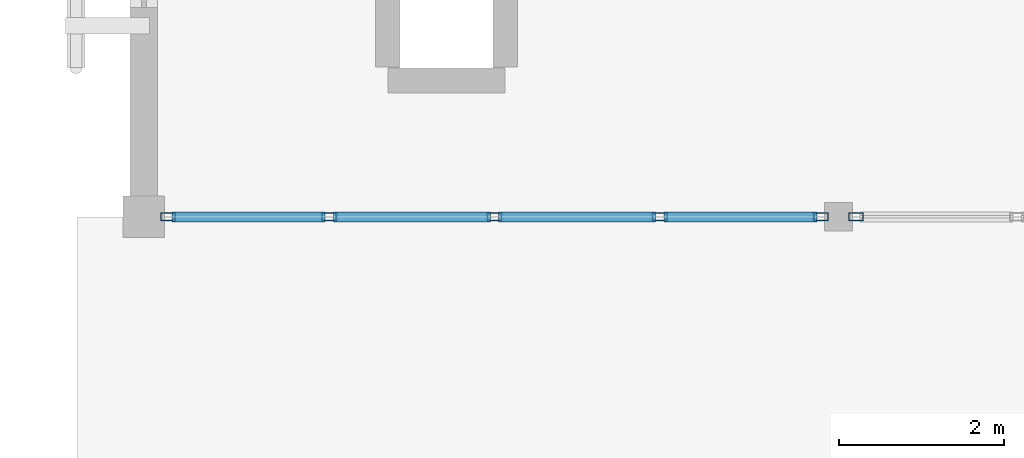
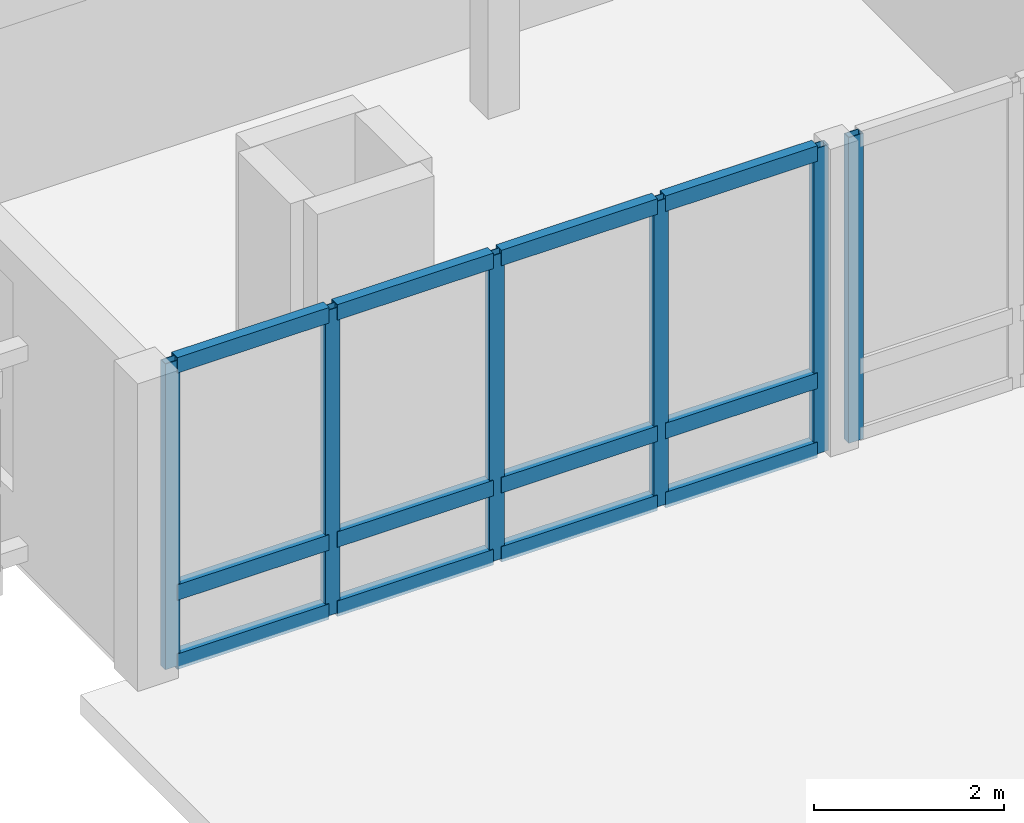
# One storey, part 18 of 217: 18 members, 2 elements without a shape of their own.
"""IFC4 building model written with IfcOpenShell, lengths in metres."""

from ifc_helpers import new_model, si_unit, direction, frame, origin, origin_2d, place, context, subcontext, project, spatial, hollow_rectangle, extrude, material, layer, layer_set, material_profile, profile_set, type_object, element, aggregate, save


model = new_model("IFC4")

# Units and contexts
model_context = context("Model", 3, precision=1e-05, world=origin(), true_north=direction((0.0, 1.0)))
body_context = subcontext(model_context, "Body", "Model", "MODEL_VIEW")
ifc_project = project(units=[si_unit("LENGTHUNIT", "METRE"), si_unit("AREAUNIT", "SQUARE_METRE"), si_unit("VOLUMEUNIT", "CUBIC_METRE"), si_unit("PLANEANGLEUNIT", "RADIAN"), si_unit("MASSUNIT", "GRAM", prefix="KILO")], contexts=[model_context])

# Site, building, storey
site_placement = place(None, origin())
site = spatial("IfcSite", under=ifc_project, at=site_placement, CompositionType="ELEMENT")
building_placement = place(site_placement, origin())
building = spatial("IfcBuilding", under=site, at=building_placement, Name="Mazaris Harbour Polytechnic", CompositionType="ELEMENT")
storey_placement = place(building_placement, frame((0.0, 0.0, 9.60009765625)))
storey = spatial("IfcBuildingStorey", under=building, at=storey_placement, Name="L02", CompositionType="ELEMENT", Elevation=9.60009765625)

# Curtain wall, members
ifc_material_1 = material(Name="Anodised Bronze Aluminium and Low-E Glass", Category="aluminium")
ifc_layer = layer(ifc_material_1, 0.179931640625, Name="Anodised Bronze Aluminium and Low-E Glass")
ifc_layer_set = layer_set([ifc_layer], Name="Anodised Bronze Aluminium and Low-E Glass")
curtain_wall_type = type_object("IfcCurtainWallType", Name="Harbour Colonnade Curtain Wall", PredefinedType="NOTDEFINED", material=ifc_layer_set)
curtain_wall_1_placement = place(storey_placement, origin())
curtain_wall_1 = element("IfcCurtainWall", 1, at=curtain_wall_1_placement, inside=storey, type_object=curtain_wall_type, Name="V3 L02 Curtain Wall 79", PredefinedType="NOTDEFINED")
ifc_material_2 = material(Name="Anodised Bronze Steel S355", Category="steel")
ifc_material_profile_1 = material_profile(ifc_material_2, hollow_rectangle(XDim=0.10009765625, YDim=0.179931640625, WallThickness=0.008056640625, at=origin_2d()), Name="RHS 100x180x8.0")
ifc_profile_set_1 = profile_set([ifc_material_profile_1], Name="Anodised Bronze Steel S355")
member_type_1 = type_object("IfcMemberType", Name="Curtain Mullion RHS100x180", PredefinedType="MULLION", material=ifc_profile_set_1)
member_1_placement = place(storey_placement, frame((62.18798828125, 14.39990234375, 0.0), z_axis=(0.0, 0.0, 1.0), x_axis=(0.0, -1.0, 0.0)))
member_1 = element("IfcMember", 2, at=member_1_placement, type_object=member_type_1, Name="CW-01 mullion 1", PredefinedType="MULLION", context=body_context, shape_type="SweptSolid", body=[
    extrude(hollow_rectangle(XDim=0.10009765625, YDim=0.179931640625, WallThickness=0.008056640625, at=origin_2d()), origin(), (0.0, 0.0, 1.0), 3.934814453125),
])
member_2_placement = place(storey_placement, frame((60.239013671875, 14.39990234375, 0.0), z_axis=(0.0, 0.0, 1.0), x_axis=(0.0, -1.0, 0.0)))
member_2 = element("IfcMember", 3, at=member_2_placement, type_object=member_type_1, Name="CW-01 mullion 2", PredefinedType="MULLION", context=body_context, shape_type="SweptSolid", body=[
    extrude(hollow_rectangle(XDim=0.10009765625, YDim=0.179931640625, WallThickness=0.008056640625, at=origin_2d()), origin(), (0.0, 0.0, 1.0), 3.934814453125),
])
member_3_placement = place(storey_placement, frame((58.239990234375, 14.39990234375, 0.0), z_axis=(0.0, 0.0, 1.0), x_axis=(0.0, -1.0, 0.0)))
member_3 = element("IfcMember", 4, at=member_3_placement, type_object=member_type_1, Name="CW-01 mullion 3", PredefinedType="MULLION", context=body_context, shape_type="SweptSolid", body=[
    extrude(hollow_rectangle(XDim=0.10009765625, YDim=0.179931640625, WallThickness=0.008056640625, at=origin_2d()), origin(), (0.0, 0.0, 1.0), 3.934814453125),
])
member_4_placement = place(storey_placement, frame((56.240966796875, 14.39990234375, 0.0), z_axis=(0.0, 0.0, 1.0), x_axis=(0.0, -1.0, 0.0)))
member_4 = element("IfcMember", 5, at=member_4_placement, type_object=member_type_1, Name="CW-01 mullion 4", PredefinedType="MULLION", context=body_context, shape_type="SweptSolid", body=[
    extrude(hollow_rectangle(XDim=0.10009765625, YDim=0.179931640625, WallThickness=0.008056640625, at=origin_2d()), origin(), (0.0, 0.0, 1.0), 3.934814453125),
])
member_5_placement = place(storey_placement, frame((54.2919921875, 14.39990234375, 0.0), z_axis=(0.0, 0.0, 1.0), x_axis=(0.0, -1.0, 0.0)))
member_5 = element("IfcMember", 6, at=member_5_placement, type_object=member_type_1, Name="CW-01 mullion 5", PredefinedType="MULLION", context=body_context, shape_type="SweptSolid", body=[
    extrude(hollow_rectangle(XDim=0.10009765625, YDim=0.179931640625, WallThickness=0.008056640625, at=origin_2d()), origin(), (0.0, 0.0, 1.0), 3.934814453125),
])

# Curtain wall, member
curtain_wall_2_placement = place(storey_placement, origin())
curtain_wall_2 = element("IfcCurtainWall", 7, at=curtain_wall_2_placement, inside=storey, type_object=curtain_wall_type, Name="V3 L02 Curtain Wall 80", PredefinedType="NOTDEFINED")
member_6_placement = place(storey_placement, frame((62.612060546875, 14.39990234375, 0.0), z_axis=(0.0, 0.0, 1.0), x_axis=(0.0, -1.0, 0.0)))
member_6 = element("IfcMember", 8, at=member_6_placement, type_object=member_type_1, Name="CW-01 mullion 5", PredefinedType="MULLION", context=body_context, shape_type="SweptSolid", body=[
    extrude(hollow_rectangle(XDim=0.10009765625, YDim=0.179931640625, WallThickness=0.008056640625, at=origin_2d()), origin(), (0.0, 0.0, 1.0), 3.934814453125),
])
aggregate(curtain_wall_2, [member_6])

# Member
ifc_material_3 = material(Name="Anodised Bronze Steel S355", Category="steel")
ifc_material_profile_2 = material_profile(ifc_material_3, hollow_rectangle(XDim=0.1201171875, YDim=0.199951171875, WallThickness=0.008056640625, at=origin_2d()), Name="RHS 120x200x8.0")
ifc_profile_set_2 = profile_set([ifc_material_profile_2], Name="Anodised Bronze Steel S355")
member_type_2 = type_object("IfcMemberType", Name="Curtain Transom RHS120x200", PredefinedType="USERDEFINED", material=ifc_profile_set_2)
member_7_placement = place(storey_placement, frame((62.137939453125, 14.39990234375, 0.059814453125), z_axis=(-1.0, 0.0, 0.0), x_axis=(0.0, -1.0, 0.0)))
member_7 = element("IfcMember", 9, at=member_7_placement, type_object=member_type_2, Name="CW-01 transom 1.1", ObjectType="TRANSOM", PredefinedType="USERDEFINED", context=body_context, shape_type="SweptSolid", body=[
    extrude(hollow_rectangle(XDim=0.1201171875, YDim=0.199951171875, WallThickness=0.008056640625, at=origin_2d()), origin(), (0.0, 0.0, 1.0), 1.848876953125),
])

member_8_placement = place(storey_placement, frame((62.137939453125, 14.39990234375, 0.949951171875), z_axis=(-1.0, 0.0, 0.0), x_axis=(0.0, -1.0, 0.0)))
member_8 = element("IfcMember", 10, at=member_8_placement, type_object=member_type_2, Name="CW-01 transom 1.2", ObjectType="TRANSOM", PredefinedType="USERDEFINED", context=body_context, shape_type="SweptSolid", body=[
    extrude(hollow_rectangle(XDim=0.1201171875, YDim=0.199951171875, WallThickness=0.008056640625, at=origin_2d()), origin(), (0.0, 0.0, 1.0), 1.848876953125),
])

member_9_placement = place(storey_placement, frame((62.137939453125, 14.39990234375, 3.875), z_axis=(-1.0, 0.0, 0.0), x_axis=(0.0, -1.0, 0.0)))
member_9 = element("IfcMember", 11, at=member_9_placement, type_object=member_type_2, Name="CW-01 transom 1.3", ObjectType="TRANSOM", PredefinedType="USERDEFINED", context=body_context, shape_type="SweptSolid", body=[
    extrude(hollow_rectangle(XDim=0.1201171875, YDim=0.199951171875, WallThickness=0.008056640625, at=origin_2d()), origin(), (0.0, 0.0, 1.0), 1.848876953125),
])

member_10_placement = place(storey_placement, frame((60.18896484375, 14.39990234375, 0.059814453125), z_axis=(-1.0, 0.0, 0.0), x_axis=(0.0, -1.0, 0.0)))
member_10 = element("IfcMember", 12, at=member_10_placement, type_object=member_type_2, Name="CW-01 transom 2.1", ObjectType="TRANSOM", PredefinedType="USERDEFINED", context=body_context, shape_type="SweptSolid", body=[
    extrude(hollow_rectangle(XDim=0.1201171875, YDim=0.199951171875, WallThickness=0.008056640625, at=origin_2d()), origin(), (0.0, 0.0, 1.0), 1.89892578125),
])

member_11_placement = place(storey_placement, frame((60.18896484375, 14.39990234375, 0.949951171875), z_axis=(-1.0, 0.0, 0.0), x_axis=(0.0, -1.0, 0.0)))
member_11 = element("IfcMember", 13, at=member_11_placement, type_object=member_type_2, Name="CW-01 transom 2.2", ObjectType="TRANSOM", PredefinedType="USERDEFINED", context=body_context, shape_type="SweptSolid", body=[
    extrude(hollow_rectangle(XDim=0.1201171875, YDim=0.199951171875, WallThickness=0.008056640625, at=origin_2d()), origin(), (0.0, 0.0, 1.0), 1.89892578125),
])

member_12_placement = place(storey_placement, frame((60.18896484375, 14.39990234375, 3.875), z_axis=(-1.0, 0.0, 0.0), x_axis=(0.0, -1.0, 0.0)))
member_12 = element("IfcMember", 14, at=member_12_placement, type_object=member_type_2, Name="CW-01 transom 2.3", ObjectType="TRANSOM", PredefinedType="USERDEFINED", context=body_context, shape_type="SweptSolid", body=[
    extrude(hollow_rectangle(XDim=0.1201171875, YDim=0.199951171875, WallThickness=0.008056640625, at=origin_2d()), origin(), (0.0, 0.0, 1.0), 1.89892578125),
])

member_13_placement = place(storey_placement, frame((58.18994140625, 14.39990234375, 0.059814453125), z_axis=(-1.0, 0.0, 0.0), x_axis=(0.0, -1.0, 0.0)))
member_13 = element("IfcMember", 15, at=member_13_placement, type_object=member_type_2, Name="CW-01 transom 3.1", ObjectType="TRANSOM", PredefinedType="USERDEFINED", context=body_context, shape_type="SweptSolid", body=[
    extrude(hollow_rectangle(XDim=0.1201171875, YDim=0.199951171875, WallThickness=0.008056640625, at=origin_2d()), origin(), (0.0, 0.0, 1.0), 1.89892578125),
])

member_14_placement = place(storey_placement, frame((58.18994140625, 14.39990234375, 0.949951171875), z_axis=(-1.0, 0.0, 0.0), x_axis=(0.0, -1.0, 0.0)))
member_14 = element("IfcMember", 16, at=member_14_placement, type_object=member_type_2, Name="CW-01 transom 3.2", ObjectType="TRANSOM", PredefinedType="USERDEFINED", context=body_context, shape_type="SweptSolid", body=[
    extrude(hollow_rectangle(XDim=0.1201171875, YDim=0.199951171875, WallThickness=0.008056640625, at=origin_2d()), origin(), (0.0, 0.0, 1.0), 1.89892578125),
])

member_15_placement = place(storey_placement, frame((58.18994140625, 14.39990234375, 3.875), z_axis=(-1.0, 0.0, 0.0), x_axis=(0.0, -1.0, 0.0)))
member_15 = element("IfcMember", 17, at=member_15_placement, type_object=member_type_2, Name="CW-01 transom 3.3", ObjectType="TRANSOM", PredefinedType="USERDEFINED", context=body_context, shape_type="SweptSolid", body=[
    extrude(hollow_rectangle(XDim=0.1201171875, YDim=0.199951171875, WallThickness=0.008056640625, at=origin_2d()), origin(), (0.0, 0.0, 1.0), 1.89892578125),
])

member_16_placement = place(storey_placement, frame((56.19091796875, 14.39990234375, 0.059814453125), z_axis=(-1.0, 0.0, 0.0), x_axis=(0.0, -1.0, 0.0)))
member_16 = element("IfcMember", 18, at=member_16_placement, type_object=member_type_2, Name="CW-01 transom 4.1", ObjectType="TRANSOM", PredefinedType="USERDEFINED", context=body_context, shape_type="SweptSolid", body=[
    extrude(hollow_rectangle(XDim=0.1201171875, YDim=0.199951171875, WallThickness=0.008056640625, at=origin_2d()), origin(), (0.0, 0.0, 1.0), 1.848876953125),
])

member_17_placement = place(storey_placement, frame((56.19091796875, 14.39990234375, 0.949951171875), z_axis=(-1.0, 0.0, 0.0), x_axis=(0.0, -1.0, 0.0)))
member_17 = element("IfcMember", 19, at=member_17_placement, type_object=member_type_2, Name="CW-01 transom 4.2", ObjectType="TRANSOM", PredefinedType="USERDEFINED", context=body_context, shape_type="SweptSolid", body=[
    extrude(hollow_rectangle(XDim=0.1201171875, YDim=0.199951171875, WallThickness=0.008056640625, at=origin_2d()), origin(), (0.0, 0.0, 1.0), 1.848876953125),
])

member_18_placement = place(storey_placement, frame((56.19091796875, 14.39990234375, 3.875), z_axis=(-1.0, 0.0, 0.0), x_axis=(0.0, -1.0, 0.0)))
member_18 = element("IfcMember", 20, at=member_18_placement, type_object=member_type_2, Name="CW-01 transom 4.3", ObjectType="TRANSOM", PredefinedType="USERDEFINED", context=body_context, shape_type="SweptSolid", body=[
    extrude(hollow_rectangle(XDim=0.1201171875, YDim=0.199951171875, WallThickness=0.008056640625, at=origin_2d()), origin(), (0.0, 0.0, 1.0), 1.848876953125),
])

aggregate(curtain_wall_1, [member_1, member_2, member_3, member_4, member_5, member_7, member_8, member_9, member_10, member_11, member_12, member_13, member_14, member_15, member_16, member_17, member_18])

save(model, "model.ifc")
